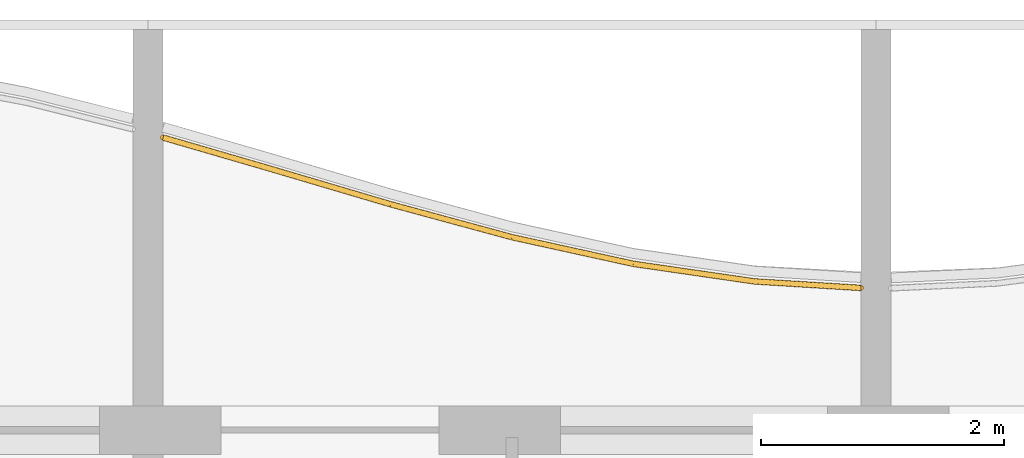
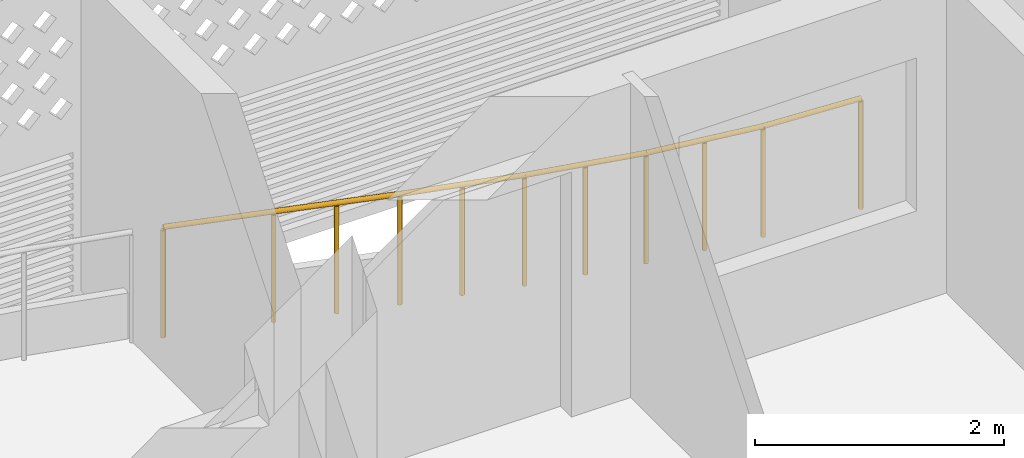
# One storey, part 23 of 28: 1 railing.
"""IFC4 building model written with IfcOpenShell, lengths in metres."""

from ifc_helpers import new_model, si_unit, direction, frame, origin, origin_2d, place, context, subcontext, project, spatial, circle, extrude, material, type_object, element, save


model = new_model("IFC4")

# Units and contexts
model_context = context("Model", 3, precision=1e-05, world=origin(), true_north=direction((0.0, 1.0)))
body_context = subcontext(model_context, "Body", "Model", "MODEL_VIEW")
ifc_project = project(units=[si_unit("LENGTHUNIT", "METRE"), si_unit("AREAUNIT", "SQUARE_METRE"), si_unit("VOLUMEUNIT", "CUBIC_METRE"), si_unit("PLANEANGLEUNIT", "RADIAN"), si_unit("MASSUNIT", "GRAM", prefix="KILO")], contexts=[model_context])

# Site, building, storey
site_placement = place(None, origin())
site = spatial("IfcSite", under=ifc_project, at=site_placement, CompositionType="ELEMENT")
building_placement = place(site_placement, origin())
building = spatial("IfcBuilding", under=site, at=building_placement, Name="Poui Terraces", CompositionType="ELEMENT")
storey_placement = place(building_placement, frame((0.0, 0.0, 188.39990234375)))
storey = spatial("IfcBuildingStorey", under=building, at=storey_placement, Name="L52", CompositionType="ELEMENT", Elevation=188.39990234375)

# Railing
ifc_material = material(Name="Painted steel fretwork", Category="steel")
railing_type = type_object("IfcRailingType", Name="BALCONY GUARD 1100", PredefinedType="GUARDRAIL", material=ifc_material)
railing_placement = place(storey_placement, frame((60.125, 43.611328125, 0.0)))
element("IfcRailing", 1, at=railing_placement, inside=storey, type_object=railing_type, Name="BALCONY GUARD", PredefinedType="GUARDRAIL", context=body_context, shape_type="SweptSolid", body=[
    extrude(circle(Radius=0.02392578125, at=origin_2d()), frame((0.0, 0.0, 1.076171875), z_axis=(0.960239707098, -0.279176834485, 0.0), x_axis=(0.279176834485, 0.960239707098, 0.0)), (0.0, 0.0, 1.0), 0.9111328125),
    extrude(circle(Radius=0.02392578125, at=origin_2d()), frame((0.875, -0.25439453125, 1.076171875), z_axis=(0.959029275123, -0.283306988012, 0.0), x_axis=(0.283306988012, 0.959029275123, 0.0)), (0.0, 0.0, 1.0), 1.042724609375),
    extrude(circle(Radius=0.02392578125, at=origin_2d()), frame((1.875, -0.5498046875, 1.076171875), z_axis=(0.965127211662, -0.261781331093, 0.0), x_axis=(0.261781331093, 0.965127211662, 0.0)), (0.0, 0.0, 1.0), 1.0361328125),
    extrude(circle(Radius=0.02392578125, at=origin_2d()), frame((2.875, -0.821044921875, 1.076171875), z_axis=(0.97675043296, -0.214379550593, 0.0), x_axis=(0.214379550593, 0.97675043296, 0.0)), (0.0, 0.0, 1.0), 1.023681640625),
    extrude(circle(Radius=0.02392578125, at=origin_2d()), frame((3.875, -1.04052734375, 1.076171875), z_axis=(0.989647671833, -0.143518241472, 0.0), x_axis=(0.143518241472, 0.989647671833, 0.0)), (0.0, 0.0, 1.0), 1.010498046875),
    extrude(circle(Radius=0.02392578125, at=origin_2d()), frame((4.875, -1.185546875, 1.076171875), z_axis=(0.99812131414, -0.061268607453, 0.0), x_axis=(0.061268607453, 0.99812131414, 0.0)), (0.0, 0.0, 1.0), 0.876708984375),
    extrude(circle(Radius=0.02099609375, at=origin_2d()), origin(), (0.0, 0.0, 1.0), 1.052001953125),
    extrude(circle(Radius=0.02099609375, at=origin_2d()), frame((0.875, -0.25439453125, 0.0)), (0.0, 0.0, 1.0), 1.052001953125),
    extrude(circle(Radius=0.02099609375, at=origin_2d()), frame((1.375, -0.402099609375, 0.0)), (0.0, 0.0, 1.0), 1.052001953125),
    extrude(circle(Radius=0.02099609375, at=origin_2d()), frame((1.875, -0.5498046875, 0.0)), (0.0, 0.0, 1.0), 1.052001953125),
    extrude(circle(Radius=0.02099609375, at=origin_2d()), frame((2.375, -0.685546875, 0.0)), (0.0, 0.0, 1.0), 1.052001953125),
    extrude(circle(Radius=0.02099609375, at=origin_2d()), frame((2.875, -0.821044921875, 0.0)), (0.0, 0.0, 1.0), 1.052001953125),
    extrude(circle(Radius=0.02099609375, at=origin_2d()), frame((3.375, -0.9306640625, 0.0)), (0.0, 0.0, 1.0), 1.052001953125),
    extrude(circle(Radius=0.02099609375, at=origin_2d()), frame((3.875, -1.04052734375, 0.0)), (0.0, 0.0, 1.0), 1.052001953125),
    extrude(circle(Radius=0.02099609375, at=origin_2d()), frame((4.375, -1.113037109375, 0.0)), (0.0, 0.0, 1.0), 1.052001953125),
    extrude(circle(Radius=0.02099609375, at=origin_2d()), frame((4.875, -1.185546875, 0.0)), (0.0, 0.0, 1.0), 1.052001953125),
    extrude(circle(Radius=0.02099609375, at=origin_2d()), frame((5.75, -1.2392578125, 0.0)), (0.0, 0.0, 1.0), 1.052001953125),
])

save(model, "model.ifc")
